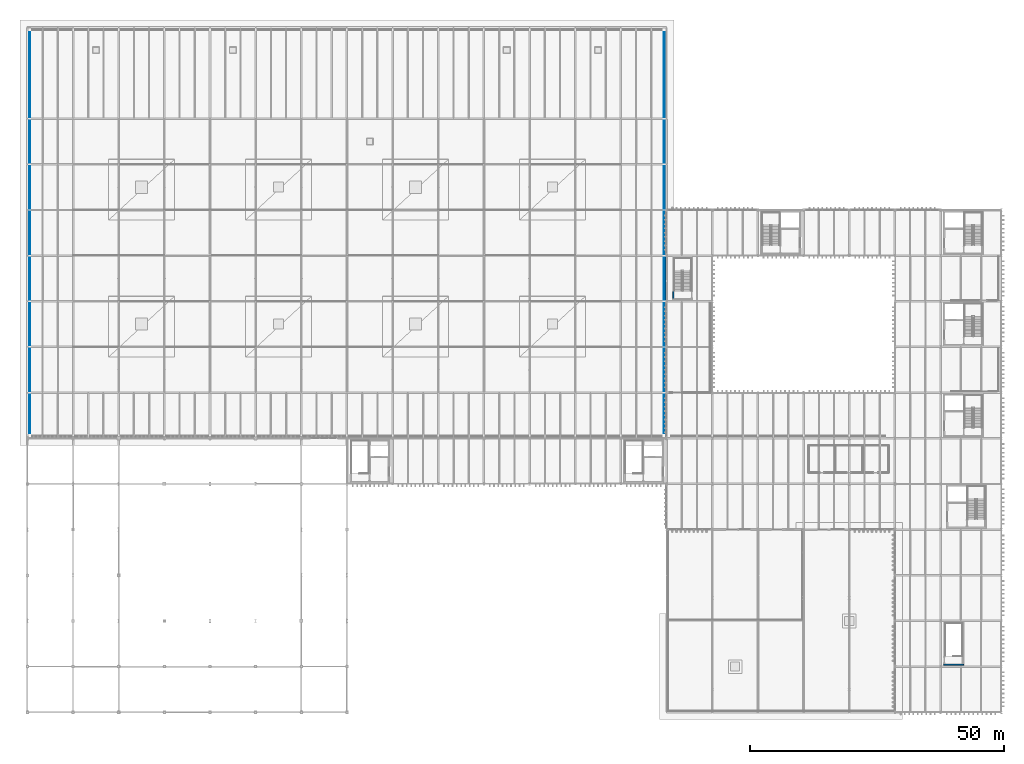
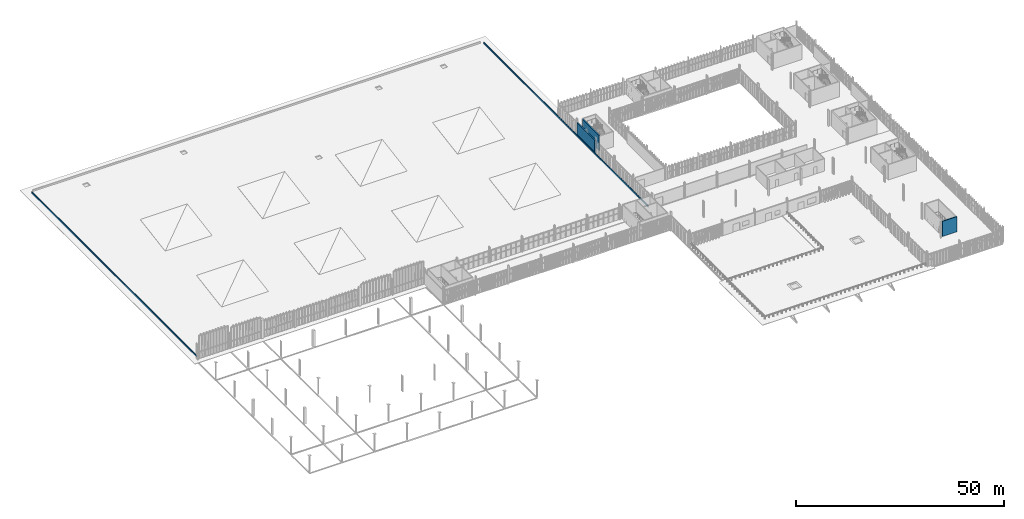
# One storey, part 179 of 196: 5 walls.
"""IFC4 building model written with IfcOpenShell, lengths in metres."""

from ifc_helpers import new_model, si_unit, direction, frame, frame_2d, origin, place, context, subcontext, project, spatial, rectangle, extrude, material, layer, layer_set, type_object, element, save


model = new_model("IFC4")

# Units and contexts
model_context = context("Model", 3, precision=1e-05, world=origin(), true_north=direction((0.0, 1.0)))
body_context = subcontext(model_context, "Body", "Model", "MODEL_VIEW")
ifc_project = project(units=[si_unit("LENGTHUNIT", "METRE"), si_unit("AREAUNIT", "SQUARE_METRE"), si_unit("VOLUMEUNIT", "CUBIC_METRE"), si_unit("PLANEANGLEUNIT", "RADIAN"), si_unit("MASSUNIT", "GRAM", prefix="KILO")], contexts=[model_context])

# Site, building, storey
site_placement = place(None, origin())
site = spatial("IfcSite", under=ifc_project, at=site_placement, CompositionType="ELEMENT")
building_placement = place(site_placement, origin())
building = spatial("IfcBuilding", under=site, at=building_placement, Name="Barlavento Convention Centre", CompositionType="ELEMENT")
storey_placement = place(building_placement, frame((0.0, 0.0, 18.0)))
storey = spatial("IfcBuildingStorey", under=building, at=storey_placement, Name="L03", CompositionType="ELEMENT", Elevation=18.0)

# Walls
ifc_material_1 = material(Name="Macau dark grey granite cladding on Concrete C40/50", Category="masonry")
ifc_layer_1 = layer(ifc_material_1, 0.320068359375)
ifc_layer_set_1 = layer_set([ifc_layer_1], Name="ARC-WL-EXT-320")
wall_type_1 = type_object("IfcWallType", Name="ARC-WL-EXT-320", PredefinedType="SOLIDWALL", material=ifc_layer_set_1)
wall_1_placement = place(storey_placement, frame((126.0, 81.219970703125, 0.0), z_axis=(0.0, 0.0, 1.0), x_axis=(0.0, 1.0, 0.0)))
element("IfcWall", 1, at=wall_1_placement, inside=storey, type_object=wall_type_1, Name="L03 exterior wall EW01", PredefinedType="SOLIDWALL", context=body_context, shape_type="SweptSolid", body=[
    extrude(rectangle(XDim=8.534912109375, YDim=0.320068359375, at=frame_2d((4.267578125, 0.0))), origin(), (0.0, 0.0, 1.0), 3.64990234375),
])
ifc_material_2 = material(Name="Precast concrete C40/50 roof curb", Category="concrete")
ifc_layer_2 = layer(ifc_material_2, 0.195068359375)
ifc_layer_set_2 = layer_set([ifc_layer_2], Name="ARC-WL-PAR-195")
wall_type_2 = type_object("IfcWallType", Name="ARC-WL-PAR-195", PredefinedType="PARAPET", material=ifc_layer_set_2)
for number, where, z_axis, x_axis, name in (
    (2, (125.550048828125, 55.0, 0.090087890625), (0.0, 0.0, 1.0), (0.0, 1.0, 0.0), "L03 exterior wall PW02"),
    (3, (0.449951171875, 134.0, 0.090087890625), (0.0, 0.0, 1.0), (0.0, -1.0, 0.0), "L03 exterior wall PW02"),
):
    element("IfcWall", number, at=place(storey_placement, frame(where, z_axis=z_axis, x_axis=x_axis)), inside=storey, type_object=wall_type_2, Name=name, PredefinedType="PARAPET", context=body_context, shape_type="SweptSolid", body=[
        extrude(rectangle(XDim=79.0, YDim=0.195068359375, at=frame_2d((39.5, 0.0))), origin(), (0.0, 0.0, 1.0), 0.489990234375),
    ])
ifc_material_3 = material(Name="Concrete C50/60", Category="concrete")
ifc_layer_3 = layer(ifc_material_3, 0.25)
ifc_layer_set_3 = layer_set([ifc_layer_3], Name="STR-WL-CORE-250")
wall_type_3 = type_object("IfcWallType", Name="STR-WL-CORE-250", PredefinedType="SHEAR", material=ifc_layer_set_3)
wall_2_placement = place(storey_placement, frame((127.324951171875, 81.469970703125, 0.0), z_axis=(0.0, 0.0, 1.0), x_axis=(0.0, 1.0, 0.0)))
element("IfcWall", 4, at=wall_2_placement, inside=storey, type_object=wall_type_3, Name="L03 interior wall CW-02", PredefinedType="SHEAR", context=body_context, shape_type="SweptSolid", body=[
    extrude(rectangle(XDim=8.06005859375, YDim=0.25, at=frame_2d((4.030029296875, 0.0))), origin(), (0.0, 0.0, 1.0), 4.43994140625),
])
wall_3_placement = place(storey_placement, frame((180.60009765625, 9.344970703125, 0.0), z_axis=(0.0, 0.0, 1.0), x_axis=(1.0, 0.0, 0.0)))
element("IfcWall", 5, at=wall_3_placement, inside=storey, type_object=wall_type_3, Name="L03 interior wall CW-02", PredefinedType="SHEAR", context=body_context, shape_type="SweptSolid", body=[
    extrude(rectangle(XDim=3.93994140625, YDim=0.25, at=frame_2d((1.969970703125, 0.0))), origin(), (0.0, 0.0, 1.0), 4.43994140625),
])

save(model, "model.ifc")
